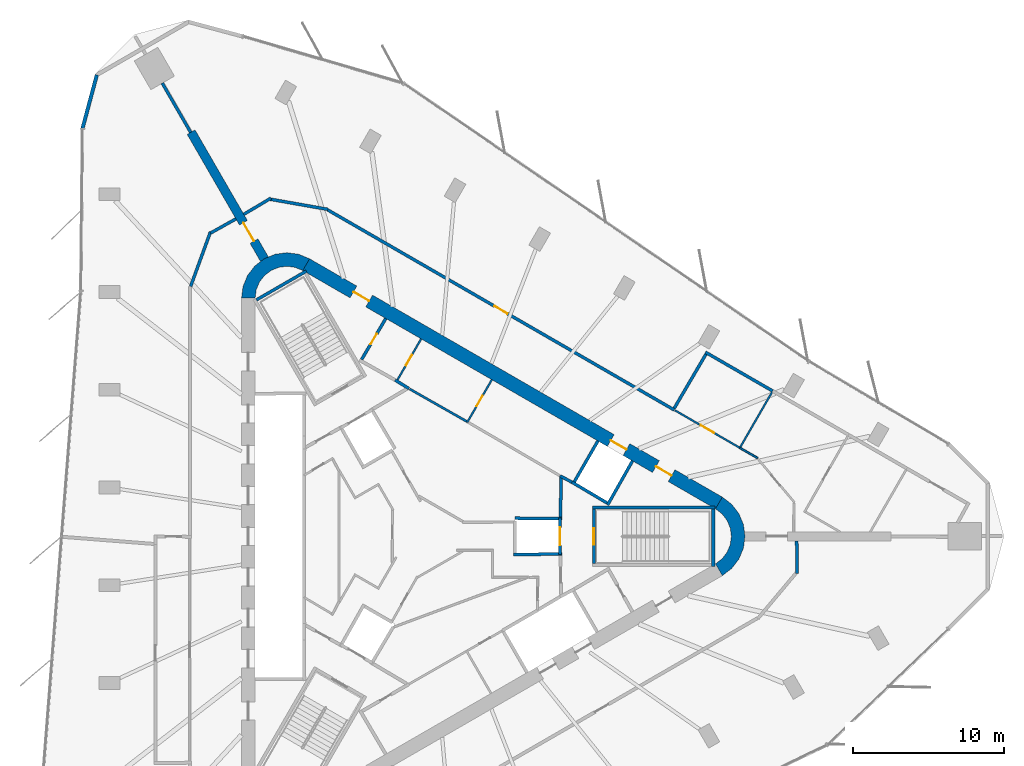
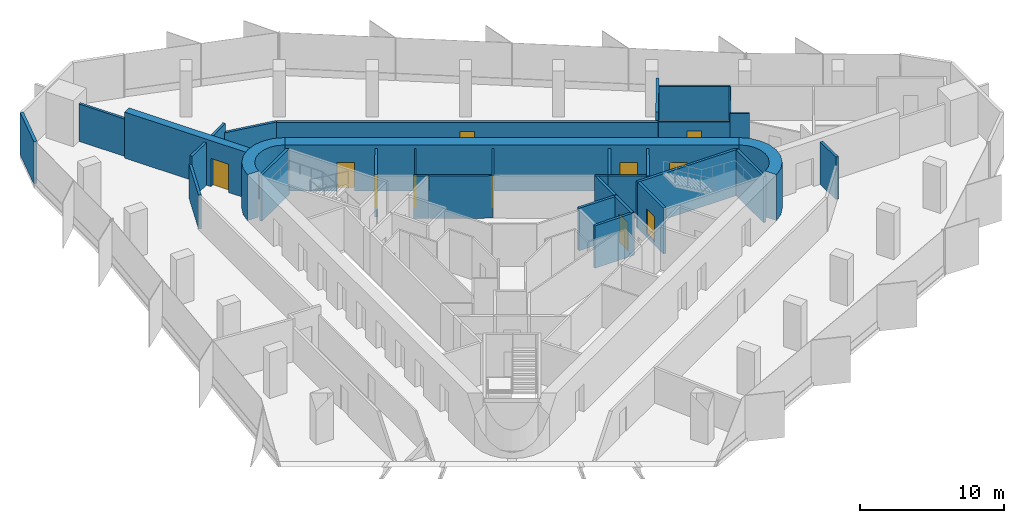
# One storey, part 11 of 14: 34 walls, 11 doors, 11 openings.
"""IFC4 building model written with IfcOpenShell, lengths in metres."""

from ifc_helpers import new_model, si_unit, direction, frame, frame_2d, origin, place, context, subcontext, project, spatial, polyline, rectangle, outline, extrude, material, layer, layer_set, type_object, element, fill, save


model = new_model("IFC4")

# Units and contexts
model_context = context("Model", 3, precision=1e-05, world=origin(), true_north=direction((0.0, 1.0)))
body_context = subcontext(model_context, "Body", "Model", "MODEL_VIEW")
ifc_project = project(units=[si_unit("LENGTHUNIT", "METRE"), si_unit("AREAUNIT", "SQUARE_METRE"), si_unit("VOLUMEUNIT", "CUBIC_METRE"), si_unit("PLANEANGLEUNIT", "RADIAN"), si_unit("MASSUNIT", "GRAM", prefix="KILO")], contexts=[model_context])

# Site, building, storey
site_placement = place(None, origin())
site = spatial("IfcSite", under=ifc_project, at=site_placement, CompositionType="ELEMENT")
building_placement = place(site_placement, origin())
building = spatial("IfcBuilding", under=site, at=building_placement, Name="Tanit Gate Tower", CompositionType="ELEMENT")
storey_placement = place(building_placement, frame((0.0, 0.0, 306.5)))
storey = spatial("IfcBuildingStorey", under=building, at=storey_placement, Name="L68", CompositionType="ELEMENT", Elevation=306.5)

# Wall, opening, door
ifc_material_1 = material(Name="Concrete C40/50", Category="concrete")
ifc_layer_1 = layer(ifc_material_1, 0.60009765625)
ifc_layer_set_1 = layer_set([ifc_layer_1], Name="BUTTRESS FIN 600 C40/50")
wall_type_1 = type_object("IfcWallType", Name="BUTTRESS FIN 600 C40/50", PredefinedType="SHEAR", material=ifc_layer_set_1)
wall_1_placement = place(storey_placement, frame((-10.574951171875, 18.31640625, 0.0), z_axis=(0.0, 0.0, 1.0), x_axis=(-0.499999297704, 0.866025809255, 0.0)))
wall_1 = element("IfcWall", 1, at=wall_1_placement, inside=storey, type_object=wall_type_1, Name="BUTTRESS FIN", PredefinedType="SHEAR", context=body_context, shape_type="SweptSolid", body=[
    extrude(rectangle(XDim=9.72021484375, YDim=0.60009765625, at=frame_2d((4.860107421875, 0.0))), origin(), (0.0, 0.0, 1.0), 3.89990234375),
])
opening_1_placement = place(wall_1_placement, frame((1.39990234375, 0.0, 0.0)))
opening_1 = element("IfcOpeningElement", 2, at=opening_1_placement, cuts=wall_1, Name="Opening P14-S18-F-NW-1", PredefinedType="OPENING", context=body_context, shape_type="SweptSolid", body=[
    extrude(rectangle(XDim=1.39990234375, YDim=2.39990234375, at=frame_2d((0.699951171875, 1.199951171875))), frame((0.0, 0.31005859375, 0.0), z_axis=(0.0, -1.0, 0.0), x_axis=(1.0, 0.0, 0.0)), (0.0, 0.0, 1.0), 0.6201171875),
])
ifc_material_2 = material(Name="Timber door leaf", Category="wood")
door_type_1 = type_object("IfcDoorType", Name="INT-DOOR-FIN-PAIR-1400", OperationType="NOTDEFINED", PredefinedType="NOTDEFINED", material=ifc_material_2)
door_1_placement = place(opening_1_placement, origin())
door_1 = element("IfcDoor", 3, at=door_1_placement, inside=storey, type_object=door_type_1, Name="Door P14-S18-F-NW-1", OperationType="DOUBLE_DOOR_SINGLE_SWING", OverallHeight=2.39990234375, OverallWidth=1.39990234375, PredefinedType="NOTDEFINED", context=body_context, shape_type="SweptSolid", body=[
    extrude(rectangle(XDim=1.39990234375, YDim=2.39990234375, at=frame_2d((0.699951171875, 1.199951171875))), frame((0.0, 0.02490234375, 0.0), z_axis=(0.0, -1.0, 0.0), x_axis=(1.0, 0.0, 0.0)), (0.0, 0.0, 1.0), 0.050048828125),
])
fill(opening_1, door_1)

# Wall, openings, doors
ifc_material_3 = material(Name="Concrete C40/50", Category="concrete")
ifc_layer_2 = layer(ifc_material_3, 0.89990234375)
ifc_layer_set_2 = layer_set([ifc_layer_2], Name="CORE WALL 900 C40/50")
wall_type_2 = type_object("IfcWallType", Name="CORE WALL 900 C40/50", PredefinedType="SHEAR", material=ifc_layer_set_2)
wall_2_placement = place(storey_placement, frame((19.47509765625, 2.20849609375, 0.0), z_axis=(0.0, 0.0, 1.0), x_axis=(-0.866028369851, 0.499994862586, 0.0)))
wall_2 = element("IfcWall", 4, at=wall_2_placement, inside=storey, type_object=wall_type_2, Name="CORE WALL", PredefinedType="SHEAR", context=body_context, shape_type="SweptSolid", body=[
    extrude(rectangle(XDim=31.523193359375, YDim=0.89990234375, at=frame_2d((15.76171875, 0.0))), origin(), (0.0, 0.0, 1.0), 3.89990234375),
])
opening_2_placement = place(wall_2_placement, frame((7.0615234375, 0.0, 0.0)))
opening_2 = element("IfcOpeningElement", 5, at=opening_2_placement, cuts=wall_2, Name="Opening LDHL8-S18", PredefinedType="OPENING", context=body_context, shape_type="SweptSolid", body=[
    extrude(rectangle(XDim=1.199951171875, YDim=2.39990234375, at=frame_2d((0.60009765625, 1.199951171875))), frame((0.0, 0.4599609375, 0.0), z_axis=(0.0, -1.0, 0.0), x_axis=(1.0, 0.0, 0.0)), (0.0, 0.0, 1.0), 0.919921875),
])
opening_3_placement = place(wall_2_placement, frame((3.611572265625, 0.0, 0.0)))
opening_3 = element("IfcOpeningElement", 6, at=opening_3_placement, cuts=wall_2, Name="Opening F12-S18-FL1", PredefinedType="OPENING", context=body_context, shape_type="SweptSolid", body=[
    extrude(rectangle(XDim=1.199951171875, YDim=2.39990234375, at=frame_2d((0.60009765625, 1.199951171875))), frame((0.0, 0.4599609375, 0.0), z_axis=(0.0, -1.0, 0.0), x_axis=(1.0, 0.0, 0.0)), (0.0, 0.0, 1.0), 0.919921875),
])
opening_4_placement = place(wall_2_placement, frame((26.711669921875, 0.0, 0.0)))
opening_4 = element("IfcOpeningElement", 7, at=opening_4_placement, cuts=wall_2, Name="Opening F12-S18-S2", PredefinedType="OPENING", context=body_context, shape_type="SweptSolid", body=[
    extrude(rectangle(XDim=1.199951171875, YDim=2.39990234375, at=frame_2d((0.60009765625, 1.199951171875))), frame((0.0, 0.4599609375, 0.0), z_axis=(0.0, -1.0, 0.0), x_axis=(1.0, 0.0, 0.0)), (0.0, 0.0, 1.0), 0.919921875),
])
ifc_material_4 = material(Name="Fire-rated steel door leaf", Category="steel")
door_type_2 = type_object("IfcDoorType", Name="INT-DOOR-FIRE-LOBBY-1200", OperationType="NOTDEFINED", PredefinedType="USERDEFINED", material=ifc_material_4)
door_2_placement = place(opening_3_placement, origin())
door_2 = element("IfcDoor", 8, at=door_2_placement, inside=storey, type_object=door_type_2, Name="Door F12-S18-FL1", ObjectType="FIRE DOOR", OperationType="SINGLE_SWING_LEFT", OverallHeight=2.39990234375, OverallWidth=1.199951171875, PredefinedType="USERDEFINED", context=body_context, shape_type="SweptSolid", body=[
    extrude(rectangle(XDim=1.199951171875, YDim=2.39990234375, at=frame_2d((0.60009765625, 1.199951171875))), frame((0.0, 0.02490234375, 0.0), z_axis=(0.0, -1.0, 0.0), x_axis=(1.0, 0.0, 0.0)), (0.0, 0.0, 1.0), 0.050048828125),
])
fill(opening_3, door_2)
door_3_placement = place(opening_4_placement, origin())
door_3 = element("IfcDoor", 9, at=door_3_placement, inside=storey, type_object=door_type_2, Name="Door F12-S18-S2", ObjectType="FIRE DOOR", OperationType="SINGLE_SWING_RIGHT", OverallHeight=2.39990234375, OverallWidth=1.199951171875, PredefinedType="USERDEFINED", context=body_context, shape_type="SweptSolid", body=[
    extrude(rectangle(XDim=1.199951171875, YDim=2.39990234375, at=frame_2d((0.60009765625, 1.199951171875))), frame((0.0, 0.02490234375, 0.0), z_axis=(0.0, -1.0, 0.0), x_axis=(1.0, 0.0, 0.0)), (0.0, 0.0, 1.0), 0.050048828125),
])
fill(opening_4, door_3)
ifc_material_5 = material(Name="Stainless steel sliding door leaf", Category="steel")
door_type_3 = type_object("IfcDoorType", Name="INT-DOOR-LANDING-1200", OperationType="NOTDEFINED", PredefinedType="USERDEFINED", material=ifc_material_5)
door_4_placement = place(opening_2_placement, origin())
door_4 = element("IfcDoor", 10, at=door_4_placement, inside=storey, type_object=door_type_3, Name="Door LDHL8-S18", ObjectType="LANDING DOOR", OperationType="SLIDING_TO_LEFT", OverallHeight=2.39990234375, OverallWidth=1.199951171875, PredefinedType="USERDEFINED", context=body_context, shape_type="SweptSolid", body=[
    extrude(rectangle(XDim=1.199951171875, YDim=2.39990234375, at=frame_2d((0.60009765625, 1.199951171875))), frame((0.0, 0.02490234375, 0.0), z_axis=(0.0, -1.0, 0.0), x_axis=(1.0, 0.0, 0.0)), (0.0, 0.0, 1.0), 0.050048828125),
])
fill(opening_2, door_4)

# Walls
wall_3_placement = place(storey_placement, origin())
element("IfcWall", 11, at=wall_3_placement, inside=storey, type_object=wall_type_2, Name="CORE WALL CORNER", PredefinedType="SHEAR", context=body_context, shape_type="SweptSolid", body=[
    extrude(outline(polyline([(-7.60009765625, 18.359619140625), (-8.323486328125, 18.659423828125), (-9.10009765625, 18.76171875), (-9.87646484375, 18.659423828125), (-10.60009765625, 18.359619140625), (-11.22119140625, 17.883056640625), (-11.697998046875, 17.26171875), (-11.997802734375, 16.5380859375), (-12.10009765625, 15.76171875), (-11.199951171875, 15.76171875), (-11.12841796875, 16.30517578125), (-10.918701171875, 16.811767578125), (-10.5849609375, 17.24658203125), (-10.14990234375, 17.580322265625), (-9.6435546875, 17.7900390625), (-9.10009765625, 17.86181640625), (-8.556396484375, 17.7900390625), (-8.050048828125, 17.580322265625), (-7.60009765625, 18.359619140625)])), origin(), (0.0, 0.0, 1.0), 3.89990234375),
])
wall_4_placement = place(storey_placement, origin())
element("IfcWall", 12, at=wall_4_placement, inside=storey, type_object=wall_type_2, Name="CORE WALL CORNER", PredefinedType="SHEAR", context=body_context, shape_type="SweptSolid", body=[
    extrude(outline(polyline([(19.699951171875, -2.59814453125), (20.3212890625, -2.121337890625), (20.798095703125, -1.5), (21.097900390625, -0.776611328125), (21.199951171875, 0.0), (21.097900390625, 0.776611328125), (20.798095703125, 1.5), (20.3212890625, 2.121337890625), (19.699951171875, 2.59814453125), (19.25, 1.818603515625), (19.684814453125, 1.48486328125), (20.018798828125, 1.050048828125), (20.228515625, 0.54345703125), (20.300048828125, 0.0), (20.228515625, -0.54345703125), (20.018798828125, -1.050048828125), (19.684814453125, -1.48486328125), (19.25, -1.818603515625), (19.699951171875, -2.59814453125)])), origin(), (0.0, 0.0, 1.0), 3.89990234375),
])
ifc_material_6 = material(Name="Concrete C30/37 with bronze anodised aluminium cladding", Category="concrete")
ifc_layer_3 = layer(ifc_material_6, 0.239990234375)
ifc_layer_set_3 = layer_set([ifc_layer_3], Name="Facade wall bronze clad 240")
wall_type_3 = type_object("IfcWallType", Name="Facade wall bronze clad 240", PredefinedType="SOLIDWALL", material=ifc_layer_set_3)
wall_5_placement = place(storey_placement, frame((-21.67138671875, 30.519775390625, 0.0), z_axis=(0.0, 0.0, 1.0), x_axis=(-0.258811894374, -0.965927742293, 0.0)))
element("IfcWall", 13, at=wall_5_placement, inside=storey, type_object=wall_type_3, Name="Bronze-clad facade wall L68 NW.arc3", PredefinedType="SOLIDWALL", context=body_context, shape_type="SweptSolid", body=[
    extrude(rectangle(XDim=3.648681640625, YDim=0.239990234375, at=frame_2d((1.82421875, 0.0))), origin(), (0.0, 0.0, 1.0), 3.60009765625),
])
ifc_material_7 = material(Name="Fire-rated gypsum board partition")
ifc_layer_4 = layer(ifc_material_7, 0.199951171875)
ifc_layer_set_4 = layer_set([ifc_layer_4], Name="INT-WALL-COMPARTMENT")
wall_type_4 = type_object("IfcWallType", Name="INT-WALL-COMPARTMENT", PredefinedType="PARTITIONING", material=ifc_layer_set_4)
wall_6_placement = place(storey_placement, frame((8.97412109375, 3.998779296875, 0.0), z_axis=(0.0, 0.0, 1.0), x_axis=(0.880917147855, -0.473270513147, 0.0)))
element("IfcWall", 14, at=wall_6_placement, inside=storey, type_object=wall_type_4, Name="Wall Compartment W045", PredefinedType="PARTITIONING", context=body_context, shape_type="SweptSolid", body=[
    extrude(rectangle(XDim=0.8779296875, YDim=0.199951171875, at=frame_2d((0.43896484375, 0.0))), origin(), (0.0, 0.0, 1.0), 3.60009765625),
])
wall_7_placement = place(storey_placement, frame((-1.940673828125, 10.338623046875, 0.0), z_axis=(0.0, 0.0, 1.0), x_axis=(0.850216889117, -0.526432561171, 0.0)))
element("IfcWall", 15, at=wall_7_placement, inside=storey, type_object=wall_type_4, Name="Wall Compartment W048", PredefinedType="PARTITIONING", context=body_context, shape_type="SweptSolid", body=[
    extrude(rectangle(XDim=1.078369140625, YDim=0.199951171875, at=frame_2d((0.5390625, 0.0))), origin(), (0.0, 0.0, 1.0), 3.60009765625),
])

# Wall, opening, door
wall_8_placement = place(storey_placement, frame((-2.557861328125, 14.409423828125, 0.0), z_axis=(0.0, 0.0, 1.0), x_axis=(-0.508018930956, -0.861345903683, 0.0)))
wall_8 = element("IfcWall", 16, at=wall_8_placement, inside=storey, type_object=wall_type_4, Name="Wall Compartment W051", PredefinedType="PARTITIONING", context=body_context, shape_type="SweptSolid", body=[
    extrude(rectangle(XDim=3.150146484375, YDim=0.199951171875, at=frame_2d((1.5751953125, 0.0))), origin(), (0.0, 0.0, 1.0), 3.60009765625),
])
opening_5_placement = place(wall_8_placement, frame((1.175048828125, 0.0, 0.0)))
opening_5 = element("IfcOpeningElement", 17, at=opening_5_placement, cuts=wall_8, Name="Opening R08-S18-17", PredefinedType="OPENING", context=body_context, shape_type="SweptSolid", body=[
    extrude(rectangle(XDim=0.800048828125, YDim=2.10009765625, at=frame_2d((0.39990234375, 1.050048828125))), frame((0.0, 0.10986328125, 0.0), z_axis=(0.0, -1.0, 0.0), x_axis=(1.0, 0.0, 0.0)), (0.0, 0.0, 1.0), 0.219970703125),
])
ifc_material_8 = material(Name="Timber door leaf", Category="wood")
door_type_4 = type_object("IfcDoorType", Name="INT-DOOR-RISER-800", OperationType="NOTDEFINED", PredefinedType="USERDEFINED", material=ifc_material_8)
door_5_placement = place(opening_5_placement, origin())
door_5 = element("IfcDoor", 18, at=door_5_placement, inside=storey, type_object=door_type_4, Name="Door R08-S18-17", ObjectType="FIRE DOOR", OperationType="SINGLE_SWING_LEFT", OverallHeight=2.10009765625, OverallWidth=0.800048828125, PredefinedType="USERDEFINED", context=body_context, shape_type="SweptSolid", body=[
    extrude(rectangle(XDim=0.800048828125, YDim=2.10009765625, at=frame_2d((0.39990234375, 1.050048828125))), frame((0.0, 0.02490234375, 0.0), z_axis=(0.0, -1.0, 0.0), x_axis=(1.0, 0.0, 0.0)), (0.0, 0.0, 1.0), 0.050048828125),
])
fill(opening_5, door_5)

# Walls
wall_9_placement = place(storey_placement, frame((9.0009765625, 1.27001953125, 0.0), z_axis=(0.0, 0.0, 1.0), x_axis=(0.010747252091, 0.999942246619, 0.0)))
element("IfcWall", 19, at=wall_9_placement, inside=storey, type_object=wall_type_4, Name="Wall Compartment W059", PredefinedType="PARTITIONING", context=body_context, shape_type="SweptSolid", body=[
    extrude(rectangle(XDim=2.72607421875, YDim=0.199951171875, at=frame_2d((1.363037109375, 0.0))), origin(), (0.0, 0.0, 1.0), 3.60009765625),
])
wall_10_placement = place(storey_placement, frame((-14.15234375, 20.143310546875, 0.0), z_axis=(0.0, 0.0, 1.0), x_axis=(-0.342008467257, -0.939696870445, 0.0)))
element("IfcWall", 20, at=wall_10_placement, inside=storey, type_object=wall_type_4, Name="Wall Compartment W097", PredefinedType="PARTITIONING", context=body_context, shape_type="SweptSolid", body=[
    extrude(rectangle(XDim=3.840576171875, YDim=0.199951171875, at=frame_2d((1.92041015625, 0.0))), origin(), (0.0, 0.0, 1.0), 2.8798828125),
])
wall_11_placement = place(storey_placement, frame((-12.469970703125, 20.99853515625, 0.0), z_axis=(0.0, 0.0, 1.0), x_axis=(-0.872542788959, -0.488537697046, 0.0)))
element("IfcWall", 21, at=wall_11_placement, inside=storey, type_object=wall_type_4, Name="Wall Compartment W098", PredefinedType="PARTITIONING", context=body_context, shape_type="SweptSolid", body=[
    extrude(rectangle(XDim=1.924560546875, YDim=0.199951171875, at=frame_2d((0.96240234375, 0.0))), origin(), (0.0, 0.0, 1.0), 3.60009765625),
])
wall_12_placement = place(storey_placement, frame((-10.154541015625, 22.3671875, 0.0), z_axis=(0.0, 0.0, 1.0), x_axis=(-0.859343009577, -0.511399640097, 0.0)))
element("IfcWall", 22, at=wall_12_placement, inside=storey, type_object=wall_type_4, Name="Wall Compartment W099", PredefinedType="PARTITIONING", context=body_context, shape_type="SweptSolid", body=[
    extrude(rectangle(XDim=2.089599609375, YDim=0.199951171875, at=frame_2d((1.044921875, 0.0))), origin(), (0.0, 0.0, 1.0), 3.60009765625),
])
wall_13_placement = place(storey_placement, frame((-6.389404296875, 21.626220703125, 0.0), z_axis=(0.0, 0.0, 1.0), x_axis=(-0.984802578286, 0.173677522442, 0.0)))
element("IfcWall", 23, at=wall_13_placement, inside=storey, type_object=wall_type_4, Name="Wall Compartment W100", PredefinedType="PARTITIONING", context=body_context, shape_type="SweptSolid", body=[
    extrude(rectangle(XDim=3.87548828125, YDim=0.199951171875, at=frame_2d((1.937744140625, 0.0))), origin(), (0.0, 0.0, 1.0), 2.8798828125),
])

# Wall, opening, door
wall_14_placement = place(storey_placement, frame((16.52294921875, 8.3583984375, 0.0), z_axis=(0.0, 0.0, 1.0), x_axis=(-0.866025545866, 0.499999753908, 0.0)))
wall_14 = element("IfcWall", 24, at=wall_14_placement, inside=storey, type_object=wall_type_4, Name="Wall Compartment W101", PredefinedType="PARTITIONING", context=body_context, shape_type="SweptSolid", body=[
    extrude(rectangle(XDim=26.470703125, YDim=0.199951171875, at=frame_2d((13.2353515625, 0.0))), origin(), (0.0, 0.0, 1.0), 2.8798828125),
])
opening_6_placement = place(wall_14_placement, frame((12.7353515625, 0.0, 0.0)))
opening_6 = element("IfcOpeningElement", 25, at=opening_6_placement, cuts=wall_14, Name="Opening F10-S18-28", PredefinedType="OPENING", context=body_context, shape_type="SweptSolid", body=[
    extrude(rectangle(XDim=1.0, YDim=2.10009765625, at=frame_2d((0.5, 1.050048828125))), frame((0.0, 0.10986328125, 0.0), z_axis=(0.0, -1.0, 0.0), x_axis=(1.0, 0.0, 0.0)), (0.0, 0.0, 1.0), 0.219970703125),
])
ifc_material_9 = material(Name="Fire-rated steel door leaf", Category="steel")
door_type_5 = type_object("IfcDoorType", Name="INT-DOOR-FIRE-1000", OperationType="NOTDEFINED", PredefinedType="USERDEFINED", material=ifc_material_9)
door_6_placement = place(opening_6_placement, origin())
door_6 = element("IfcDoor", 26, at=door_6_placement, inside=storey, type_object=door_type_5, Name="Door F10-S18-28", ObjectType="FIRE DOOR", OperationType="SINGLE_SWING_LEFT", OverallHeight=2.10009765625, OverallWidth=1.0, PredefinedType="USERDEFINED", context=body_context, shape_type="SweptSolid", body=[
    extrude(rectangle(XDim=1.0, YDim=2.10009765625, at=frame_2d((0.5, 1.050048828125))), frame((0.0, 0.02490234375, 0.0), z_axis=(0.0, -1.0, 0.0), x_axis=(1.0, 0.0, 0.0)), (0.0, 0.0, 1.0), 0.050048828125),
])
fill(opening_6, door_6)

# Walls
wall_15_placement = place(storey_placement, frame((24.647705078125, -2.46240234375, 0.0), z_axis=(0.0, 0.0, 1.0), x_axis=(-0.012757232068, 0.999918623204, 0.0)))
element("IfcWall", 27, at=wall_15_placement, inside=storey, type_object=wall_type_4, Name="Wall Compartment W106", PredefinedType="PARTITIONING", context=body_context, shape_type="SweptSolid", body=[
    extrude(rectangle(XDim=2.16259765625, YDim=0.199951171875, at=frame_2d((1.081298828125, 0.0))), origin(), (0.0, 0.0, 1.0), 3.60009765625),
])
wall_16_placement = place(storey_placement, frame((-17.34130859375, 29.97607421875, 0.0), z_axis=(0.0, 0.0, 1.0), x_axis=(0.500007177232, -0.866021259968, 0.0)))
element("IfcWall", 28, at=wall_16_placement, inside=storey, type_object=wall_type_4, Name="Wall Compartment W116", PredefinedType="PARTITIONING", context=body_context, shape_type="SweptSolid", body=[
    extrude(rectangle(XDim=3.7607421875, YDim=0.199951171875, at=frame_2d((1.88037109375, 0.0))), origin(), (0.0, 0.0, 1.0), 3.169921875),
])
wall_17_placement = place(storey_placement, frame((23.030517578125, 9.612548828125, 0.0), z_axis=(0.0, 0.0, 1.0), x_axis=(-0.866024183959, 0.500002112793, 0.0)))
element("IfcWall", 29, at=wall_17_placement, inside=storey, type_object=wall_type_4, Name="Wall Compartment W118", PredefinedType="PARTITIONING", context=body_context, shape_type="SweptSolid", body=[
    extrude(rectangle(XDim=5.138671875, YDim=0.199951171875, at=frame_2d((2.5693359375, 0.0))), origin(), (0.0, 0.0, 1.0), 2.8798828125),
])
wall_18_placement = place(storey_placement, frame((16.521484375, 8.474609375, 0.0), z_axis=(0.0, 0.0, 1.0), x_axis=(0.50596313549, 0.862555102892, 0.0)))
element("IfcWall", 30, at=wall_18_placement, inside=storey, type_object=wall_type_4, Name="Wall Compartment W119", PredefinedType="PARTITIONING", context=body_context, shape_type="SweptSolid", body=[
    extrude(rectangle(XDim=4.14013671875, YDim=0.199951171875, at=frame_2d((2.070068359375, 0.0))), origin(), (0.0, 0.0, 1.0), 3.60009765625),
])

# Wall, opening, door
ifc_material_10 = material(Name="Gypsum board partition")
ifc_layer_5 = layer(ifc_material_10, 0.1201171875)
ifc_layer_set_5 = layer_set([ifc_layer_5], Name="INT-WALL-PARTITION")
wall_type_5 = type_object("IfcWallType", Name="INT-WALL-PARTITION", PredefinedType="PARTITIONING", material=ifc_layer_set_5)
wall_19_placement = place(storey_placement, frame((4.456787109375, 10.359375, 0.0), z_axis=(0.0, 0.0, 1.0), x_axis=(-0.500017246033, -0.866015446554, 0.0)))
wall_19 = element("IfcWall", 31, at=wall_19_placement, inside=storey, type_object=wall_type_5, Name="Wall Partition W044", PredefinedType="PARTITIONING", context=body_context, shape_type="SweptSolid", body=[
    extrude(rectangle(XDim=3.25, YDim=0.1201171875, at=frame_2d((1.625, 0.0))), origin(), (0.0, 0.0, 1.0), 3.60009765625),
])
opening_7_placement = place(wall_19_placement, frame((1.22509765625, 0.0, 0.0)))
opening_7 = element("IfcOpeningElement", 32, at=opening_7_placement, cuts=wall_19, Name="Opening R08-S18-15", PredefinedType="OPENING", context=body_context, shape_type="SweptSolid", body=[
    extrude(rectangle(XDim=0.800048828125, YDim=2.10009765625, at=frame_2d((0.39990234375, 1.050048828125))), frame((0.0, 0.070068359375, 0.0), z_axis=(0.0, -1.0, 0.0), x_axis=(1.0, 0.0, 0.0)), (0.0, 0.0, 1.0), 0.14013671875),
])
door_7_placement = place(opening_7_placement, origin())
door_7 = element("IfcDoor", 33, at=door_7_placement, inside=storey, type_object=door_type_4, Name="Door R08-S18-15", ObjectType="FIRE DOOR", OperationType="SINGLE_SWING_RIGHT", OverallHeight=2.10009765625, OverallWidth=0.800048828125, PredefinedType="USERDEFINED", context=body_context, shape_type="SweptSolid", body=[
    extrude(rectangle(XDim=0.800048828125, YDim=2.10009765625, at=frame_2d((0.39990234375, 1.050048828125))), frame((0.0, 0.02490234375, 0.0), z_axis=(0.0, -1.0, 0.0), x_axis=(1.0, 0.0, 0.0)), (0.0, 0.0, 1.0), 0.050048828125),
])
fill(opening_7, door_7)

wall_20_placement = place(storey_placement, frame((-0.2197265625, 13.0595703125, 0.0), z_axis=(0.0, 0.0, 1.0), x_axis=(-0.499984717929, -0.866034226713, 0.0)))
wall_20 = element("IfcWall", 34, at=wall_20_placement, inside=storey, type_object=wall_type_5, Name="Wall Partition W047", PredefinedType="PARTITIONING", context=body_context, shape_type="SweptSolid", body=[
    extrude(rectangle(XDim=3.25, YDim=0.1201171875, at=frame_2d((1.625, 0.0))), origin(), (0.0, 0.0, 1.0), 3.60009765625),
])
opening_8_placement = place(wall_20_placement, frame((1.22509765625, 0.0, 0.0)))
opening_8 = element("IfcOpeningElement", 35, at=opening_8_placement, cuts=wall_20, Name="Opening R08-S18-16", PredefinedType="OPENING", context=body_context, shape_type="SweptSolid", body=[
    extrude(rectangle(XDim=0.800048828125, YDim=2.10009765625, at=frame_2d((0.39990234375, 1.050048828125))), frame((0.0, 0.070068359375, 0.0), z_axis=(0.0, -1.0, 0.0), x_axis=(1.0, 0.0, 0.0)), (0.0, 0.0, 1.0), 0.14013671875),
])
door_8_placement = place(opening_8_placement, origin())
door_8 = element("IfcDoor", 36, at=door_8_placement, inside=storey, type_object=door_type_4, Name="Door R08-S18-16", ObjectType="FIRE DOOR", OperationType="SINGLE_SWING_LEFT", OverallHeight=2.10009765625, OverallWidth=0.800048828125, PredefinedType="USERDEFINED", context=body_context, shape_type="SweptSolid", body=[
    extrude(rectangle(XDim=0.800048828125, YDim=2.10009765625, at=frame_2d((0.39990234375, 1.050048828125))), frame((0.0, 0.02490234375, 0.0), z_axis=(0.0, -1.0, 0.0), x_axis=(1.0, 0.0, 0.0)), (0.0, 0.0, 1.0), 0.050048828125),
])
fill(opening_8, door_8)

# Wall
wall_21_placement = place(storey_placement, frame((22.039794921875, 5.173095703125, 0.0), z_axis=(0.0, 0.0, 1.0), x_axis=(-0.865994487098, 0.500053545449, 0.0)))
element("IfcWall", 37, at=wall_21_placement, inside=storey, type_object=wall_type_5, Name="Wall Partition W103", PredefinedType="PARTITIONING", context=body_context, shape_type="SweptSolid", body=[
    extrude(rectangle(XDim=1.361572265625, YDim=0.1201171875, at=frame_2d((0.6806640625, 0.0))), origin(), (0.0, 0.0, 1.0), 3.60009765625),
])

# Wall, opening, door
wall_22_placement = place(storey_placement, frame((20.860595703125, 5.85400390625, 0.0), z_axis=(0.0, 0.0, 1.0), x_axis=(-0.86603339999, 0.499986149909, 0.0)))
wall_22 = element("IfcWall", 38, at=wall_22_placement, inside=storey, type_object=wall_type_5, Name="Wall Partition W102", PredefinedType="PARTITIONING", context=body_context, shape_type="SweptSolid", body=[
    extrude(rectangle(XDim=4.968994140625, YDim=0.1201171875, at=frame_2d((2.484375, 0.0))), origin(), (0.0, 0.0, 1.0), 2.8798828125),
])
opening_9_placement = place(wall_22_placement, frame((1.984375, 0.0, 0.0)))
opening_9 = element("IfcOpeningElement", 39, at=opening_9_placement, cuts=wall_22, Name="Opening D10-S18-22", PredefinedType="OPENING", context=body_context, shape_type="SweptSolid", body=[
    extrude(rectangle(XDim=1.0, YDim=2.10009765625, at=frame_2d((0.5, 1.050048828125))), frame((0.0, 0.070068359375, 0.0), z_axis=(0.0, -1.0, 0.0), x_axis=(1.0, 0.0, 0.0)), (0.0, 0.0, 1.0), 0.14013671875),
])
ifc_material_11 = material(Name="Timber door leaf", Category="wood")
door_type_6 = type_object("IfcDoorType", Name="INT-DOOR-SINGLE-1000", OperationType="NOTDEFINED", PredefinedType="NOTDEFINED", material=ifc_material_11)
door_9_placement = place(opening_9_placement, origin())
door_9 = element("IfcDoor", 40, at=door_9_placement, inside=storey, type_object=door_type_6, Name="Door D10-S18-22", OperationType="SINGLE_SWING_LEFT", OverallHeight=2.10009765625, OverallWidth=1.0, PredefinedType="NOTDEFINED", context=body_context, shape_type="SweptSolid", body=[
    extrude(rectangle(XDim=1.0, YDim=2.10009765625, at=frame_2d((0.5, 1.050048828125))), frame((0.0, 0.02490234375, 0.0), z_axis=(0.0, -1.0, 0.0), x_axis=(1.0, 0.0, 0.0)), (0.0, 0.0, 1.0), 0.050048828125),
])
fill(opening_9, door_9)

# Walls
wall_23_placement = place(storey_placement, frame((22.98046875, 9.52587890625, 0.0), z_axis=(0.0, 0.0, 1.0), x_axis=(-0.500027490399, -0.866009531614, 0.0)))
element("IfcWall", 41, at=wall_23_placement, inside=storey, type_object=wall_type_5, Name="Wall Partition W126", PredefinedType="PARTITIONING", context=body_context, shape_type="SweptSolid", body=[
    extrude(rectangle(XDim=4.179931640625, YDim=0.1201171875, at=frame_2d((2.08984375, 0.0))), origin(), (0.0, 0.0, 1.0), 2.8798828125),
])
ifc_material_12 = material(Name="Fire-rated gypsum board partition")
ifc_layer_6 = layer(ifc_material_12, 0.14990234375)
ifc_layer_set_6 = layer_set([ifc_layer_6], Name="INT-WALL-RISER")
wall_type_6 = type_object("IfcWallType", Name="INT-WALL-RISER", PredefinedType="PLUMBINGWALL", material=ifc_layer_set_6)
wall_24_placement = place(storey_placement, frame((2.82080078125, 7.5859375, 0.0), z_axis=(0.0, 0.0, 1.0), x_axis=(-0.869333872947, 0.494225269839, 0.0)))
element("IfcWall", 42, at=wall_24_placement, inside=storey, type_object=wall_type_6, Name="Wall Riser W049", PredefinedType="PLUMBINGWALL", context=body_context, shape_type="SweptSolid", body=[
    extrude(rectangle(XDim=4.371826171875, YDim=0.14990234375, at=frame_2d((2.18603515625, 0.0))), origin(), (0.0, 0.0, 1.0), 3.60009765625),
])
ifc_material_13 = material(Name="Gypsum shaft wall system")
ifc_layer_7 = layer(ifc_material_13, 0.199951171875)
ifc_layer_set_7 = layer_set([ifc_layer_7], Name="INT-WALL-SHAFT")
wall_type_7 = type_object("IfcWallType", Name="INT-WALL-SHAFT", PredefinedType="PLUMBINGWALL", material=ifc_layer_set_7)
wall_25_placement = place(storey_placement, frame((9.8466796875, 3.494873046875, 0.0), z_axis=(0.0, 0.0, 1.0), x_axis=(0.499984717929, 0.866034226713, 0.0)))
element("IfcWall", 43, at=wall_25_placement, inside=storey, type_object=wall_type_7, Name="Wall Shaft W012", PredefinedType="PLUMBINGWALL", context=body_context, shape_type="SweptSolid", body=[
    extrude(rectangle(XDim=3.25, YDim=0.199951171875, at=frame_2d((1.625, 0.0))), origin(), (0.0, 0.0, 1.0), 3.60009765625),
])
wall_26_placement = place(storey_placement, frame((12.10986328125, 2.07275390625, 0.0), z_axis=(0.0, 0.0, 1.0), x_axis=(0.49196600604, 0.870614408852, 0.0)))
element("IfcWall", 44, at=wall_26_placement, inside=storey, type_object=wall_type_7, Name="Wall Shaft W013", PredefinedType="PLUMBINGWALL", context=body_context, shape_type="SweptSolid", body=[
    extrude(rectangle(XDim=3.35009765625, YDim=0.199951171875, at=frame_2d((1.675048828125, 0.0))), origin(), (0.0, 0.0, 1.0), 3.60009765625),
])
wall_27_placement = place(storey_placement, frame((12.072998046875, 2.2109375, 0.0), z_axis=(0.0, 0.0, 1.0), x_axis=(-0.860414880418, 0.509594185166, 0.0)))
element("IfcWall", 45, at=wall_27_placement, inside=storey, type_object=wall_type_7, Name="Wall Shaft W014", PredefinedType="PLUMBINGWALL", context=body_context, shape_type="SweptSolid", body=[
    extrude(rectangle(XDim=2.7001953125, YDim=0.199951171875, at=frame_2d((1.35009765625, 0.0))), origin(), (0.0, 0.0, 1.0), 3.60009765625),
])

# Wall, opening, door
wall_28_placement = place(storey_placement, frame((8.969970703125, 1.199951171875, 0.0), z_axis=(0.0, 0.0, 1.0), x_axis=(0.0, -1.0, 0.0)))
wall_28 = element("IfcWall", 46, at=wall_28_placement, inside=storey, type_object=wall_type_7, Name="Wall Shaft W024", PredefinedType="PLUMBINGWALL", context=body_context, shape_type="SweptSolid", body=[
    extrude(rectangle(XDim=2.39990234375, YDim=0.199951171875, at=frame_2d((1.199951171875, 0.0))), origin(), (0.0, 0.0, 1.0), 3.60009765625),
])
opening_10_placement = place(wall_28_placement, frame((0.60009765625, 0.0, 0.0)))
opening_10 = element("IfcOpeningElement", 47, at=opening_10_placement, cuts=wall_28, Name="Opening LDFL1-L68", PredefinedType="OPENING", context=body_context, shape_type="SweptSolid", body=[
    extrude(rectangle(XDim=1.199951171875, YDim=2.39990234375, at=frame_2d((0.60009765625, 1.199951171875))), frame((0.0, 0.10986328125, 0.0), z_axis=(0.0, -1.0, 0.0), x_axis=(1.0, 0.0, 0.0)), (0.0, 0.0, 1.0), 0.219970703125),
])
door_10_placement = place(opening_10_placement, origin())
door_10 = element("IfcDoor", 48, at=door_10_placement, inside=storey, type_object=door_type_3, Name="Door LDFL1-L68", ObjectType="LANDING DOOR", OperationType="SLIDING_TO_LEFT", OverallHeight=2.39990234375, OverallWidth=1.199951171875, PredefinedType="USERDEFINED", context=body_context, shape_type="SweptSolid", body=[
    extrude(rectangle(XDim=1.199951171875, YDim=2.39990234375, at=frame_2d((0.60009765625, 1.199951171875))), frame((0.0, 0.02490234375, 0.0), z_axis=(0.0, -1.0, 0.0), x_axis=(1.0, 0.0, 0.0)), (0.0, 0.0, 1.0), 0.050048828125),
])
fill(opening_10, door_10)

# Walls
wall_29_placement = place(storey_placement, frame((6.0, 1.199951171875, 0.0), z_axis=(0.0, 0.0, 1.0), x_axis=(0.999949988, -0.010001074852, 0.0)))
element("IfcWall", 49, at=wall_29_placement, inside=storey, type_object=wall_type_7, Name="Wall Shaft W025", PredefinedType="PLUMBINGWALL", context=body_context, shape_type="SweptSolid", body=[
    extrude(rectangle(XDim=3.100341796875, YDim=0.199951171875, at=frame_2d((1.55029296875, 0.0))), origin(), (0.0, 0.0, 1.0), 3.60009765625),
])
wall_30_placement = place(storey_placement, frame((5.89990234375, -1.200927734375, 0.0), z_axis=(0.0, 0.0, 1.0), x_axis=(0.999950064753, 0.009993397809, 0.0)))
element("IfcWall", 50, at=wall_30_placement, inside=storey, type_object=wall_type_7, Name="Wall Shaft W026", PredefinedType="PLUMBINGWALL", context=body_context, shape_type="SweptSolid", body=[
    extrude(rectangle(XDim=3.200439453125, YDim=0.199951171875, at=frame_2d((1.60009765625, 0.0))), origin(), (0.0, 0.0, 1.0), 3.60009765625),
])
ifc_material_14 = material(Name="Concrete C40/50", Category="concrete")
ifc_layer_8 = layer(ifc_material_14, 0.199951171875)
ifc_layer_set_8 = layer_set([ifc_layer_8], Name="INT-WALL-STAIR")
wall_type_8 = type_object("IfcWallType", Name="INT-WALL-STAIR", PredefinedType="SHEAR", material=ifc_layer_set_8)
wall_31_placement = place(storey_placement, frame((19.199951171875, 1.89990234375, -0.300048828125), z_axis=(0.0, 0.0, 1.0), x_axis=(-1.0, 0.0, 0.0)))
element("IfcWall", 51, at=wall_31_placement, inside=storey, type_object=wall_type_8, Name="Wall Stair W020", PredefinedType="SHEAR", context=body_context, shape_type="SweptSolid", body=[
    extrude(rectangle(XDim=8.099853515625, YDim=0.199951171875, at=frame_2d((4.0498046875, 0.0))), origin(), (0.0, 0.0, 1.0), 3.900146484375),
])
wall_32_placement = place(storey_placement, frame((19.10009765625, -2.0, -0.300048828125), z_axis=(0.0, 0.0, 1.0), x_axis=(0.0, 1.0, 0.0)))
element("IfcWall", 52, at=wall_32_placement, inside=storey, type_object=wall_type_8, Name="Wall Stair W021", PredefinedType="SHEAR", context=body_context, shape_type="SweptSolid", body=[
    extrude(rectangle(XDim=3.800048828125, YDim=0.199951171875, at=frame_2d((1.89990234375, 0.0))), origin(), (0.0, 0.0, 1.0), 3.900146484375),
])

# Wall, opening, door
wall_33_placement = place(storey_placement, frame((11.199951171875, -1.800048828125, -0.300048828125), z_axis=(0.0, 0.0, 1.0), x_axis=(0.0, 1.0, 0.0)))
wall_33 = element("IfcWall", 53, at=wall_33_placement, inside=storey, type_object=wall_type_8, Name="Wall Stair W023", PredefinedType="SHEAR", context=body_context, shape_type="SweptSolid", body=[
    extrude(rectangle(XDim=3.60009765625, YDim=0.199951171875, at=frame_2d((1.800048828125, 0.0))), origin(), (0.0, 0.0, 1.0), 3.900146484375),
])
opening_11_placement = place(wall_33_placement, frame((1.25, 0.0, 0.300048828125)))
opening_11 = element("IfcOpeningElement", 54, at=opening_11_placement, cuts=wall_33, Name="Opening S11-S18-01", PredefinedType="OPENING", context=body_context, shape_type="SweptSolid", body=[
    extrude(rectangle(XDim=1.10009765625, YDim=2.10009765625, at=frame_2d((0.550048828125, 1.050048828125))), frame((0.0, 0.10986328125, 0.0), z_axis=(0.0, -1.0, 0.0), x_axis=(1.0, 0.0, 0.0)), (0.0, 0.0, 1.0), 0.219970703125),
])
ifc_material_15 = material(Name="Timber door leaf", Category="wood")
door_type_7 = type_object("IfcDoorType", Name="INT-DOOR-STAIR-1100", OperationType="NOTDEFINED", PredefinedType="USERDEFINED", material=ifc_material_15)
door_11_placement = place(opening_11_placement, origin())
door_11 = element("IfcDoor", 55, at=door_11_placement, inside=storey, type_object=door_type_7, Name="Door S11-S18-01", ObjectType="FIRE DOOR", OperationType="SINGLE_SWING_LEFT", OverallHeight=2.10009765625, OverallWidth=1.10009765625, PredefinedType="USERDEFINED", context=body_context, shape_type="SweptSolid", body=[
    extrude(rectangle(XDim=1.10009765625, YDim=2.10009765625, at=frame_2d((0.550048828125, 1.050048828125))), frame((0.0, 0.02490234375, 0.0), z_axis=(0.0, -1.0, 0.0), x_axis=(1.0, 0.0, 0.0)), (0.0, 0.0, 1.0), 0.050048828125),
])
fill(opening_11, door_11)

# Wall
wall_34_placement = place(storey_placement, frame((-7.81787109375, 17.541015625, -0.300048828125), z_axis=(0.0, 0.0, 1.0), x_axis=(-0.866044365799, -0.499967155389, 0.0)))
element("IfcWall", 56, at=wall_34_placement, inside=storey, type_object=wall_type_8, Name="Wall Stair W029", PredefinedType="SHEAR", context=body_context, shape_type="SweptSolid", body=[
    extrude(rectangle(XDim=3.800048828125, YDim=0.199951171875, at=frame_2d((1.89990234375, 0.0))), origin(), (0.0, 0.0, 1.0), 3.900146484375),
])

save(model, "model.ifc")
